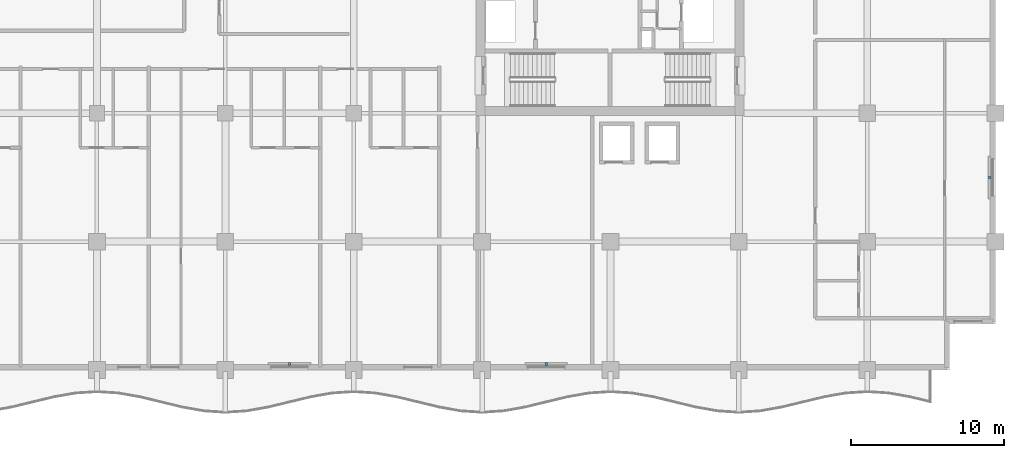
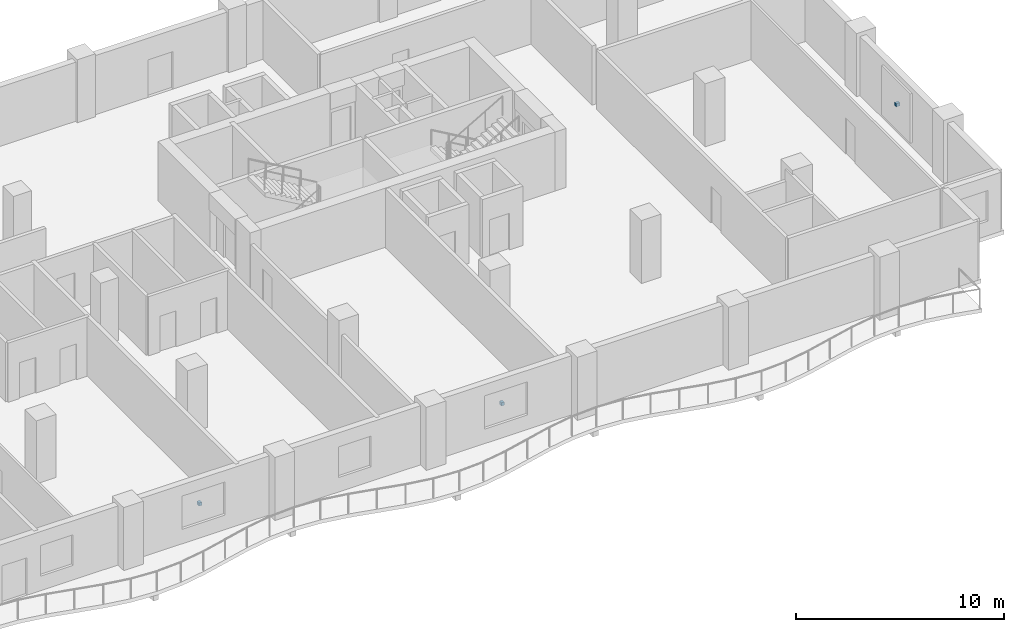
# One storey, part 13 of 18: 3 discrete accessories.
"""IFC4 building model written with IfcOpenShell, lengths in metres."""

from ifc_helpers import new_model, si_unit, direction, frame, origin, origin_2d, place, context, subcontext, project, spatial, rectangle, extrude, material, type_object, element, save


model = new_model("IFC4")

# Units and contexts
model_context = context("Model", 3, precision=1e-05, world=origin(), true_north=direction((0.0, 1.0)))
body_context = subcontext(model_context, "Body", "Model", "MODEL_VIEW")
ifc_project = project(units=[si_unit("LENGTHUNIT", "METRE"), si_unit("AREAUNIT", "SQUARE_METRE"), si_unit("VOLUMEUNIT", "CUBIC_METRE"), si_unit("PLANEANGLEUNIT", "RADIAN"), si_unit("MASSUNIT", "GRAM", prefix="KILO")], contexts=[model_context])

# Site, building, storey
site_placement = place(None, origin())
site = spatial("IfcSite", under=ifc_project, at=site_placement, CompositionType="ELEMENT")
building_placement = place(site_placement, origin())
building = spatial("IfcBuilding", under=site, at=building_placement, Name="Koriwani Terraces Tower", CompositionType="ELEMENT")
storey_placement = place(building_placement, frame((0.0, 0.0, 205.0)))
storey = spatial("IfcBuildingStorey", under=building, at=storey_placement, Name="L50", CompositionType="ELEMENT", Elevation=205.0)

# Discrete accessories
ifc_material = material(Name="Steel ASTM A572 Grade 50", Category="steel")
discrete_accessory_type = type_object("IfcDiscreteAccessoryType", Name="BAGUETTE_STANDOFF_BRACKET", PredefinedType="BRACKET", material=ifc_material)
for number, where, z_axis, x_axis, name in (
    (1, (75.2099609375, 12.60009765625, 1.64501953125), (0.0, 0.0, 1.0), (0.0, -1.0, 0.0), "L50 Terracotta Baguette Bracket (E_TIP-3)"),
    (2, (29.39990234375, 0.389892578125, 1.64501953125), (0.0, 0.0, 1.0), (-1.0, 0.0, 0.0), "L50 Terracotta Baguette Bracket (S-9)"),
    (3, (46.199951171875, 0.389892578125, 1.64501953125), (0.0, 0.0, 1.0), (-1.0, 0.0, 0.0), "L50 Terracotta Baguette Bracket (S-15)"),
):
    element("IfcDiscreteAccessory", number, at=place(storey_placement, frame(where, z_axis=z_axis, x_axis=x_axis)), inside=storey, type_object=discrete_accessory_type, Name=name, PredefinedType="BRACKET", context=body_context, shape_type="SweptSolid", body=[
        extrude(rectangle(XDim=0.159912109375, YDim=0.199951171875, at=origin_2d()), origin(), (0.0, 0.0, 1.0), 0.179931640625),
    ])

save(model, "model.ifc")
